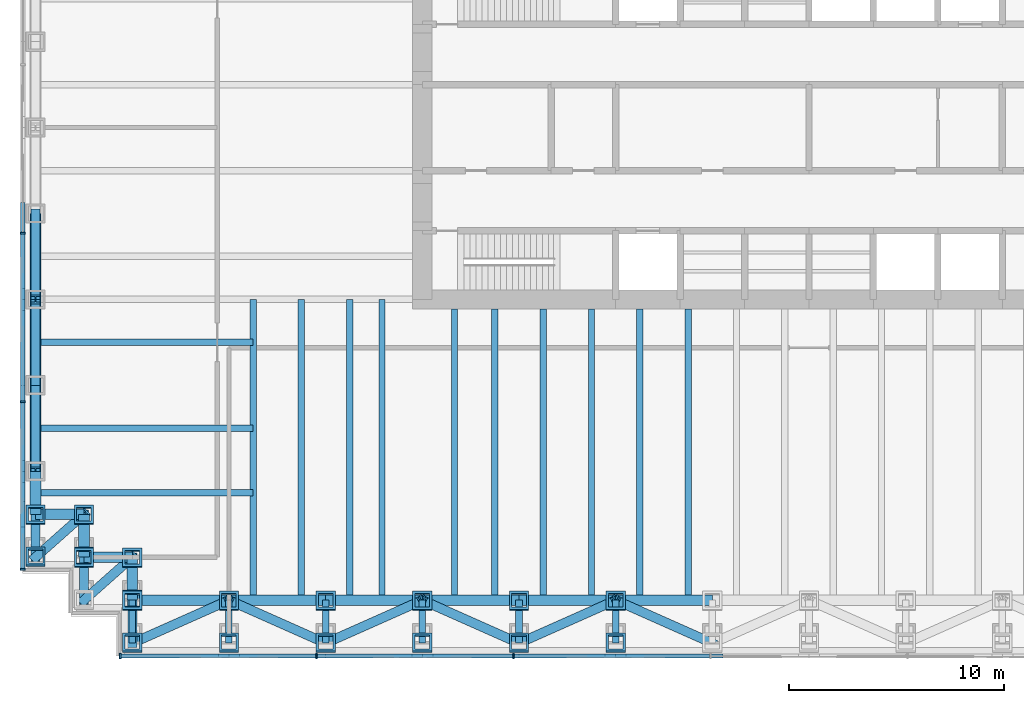
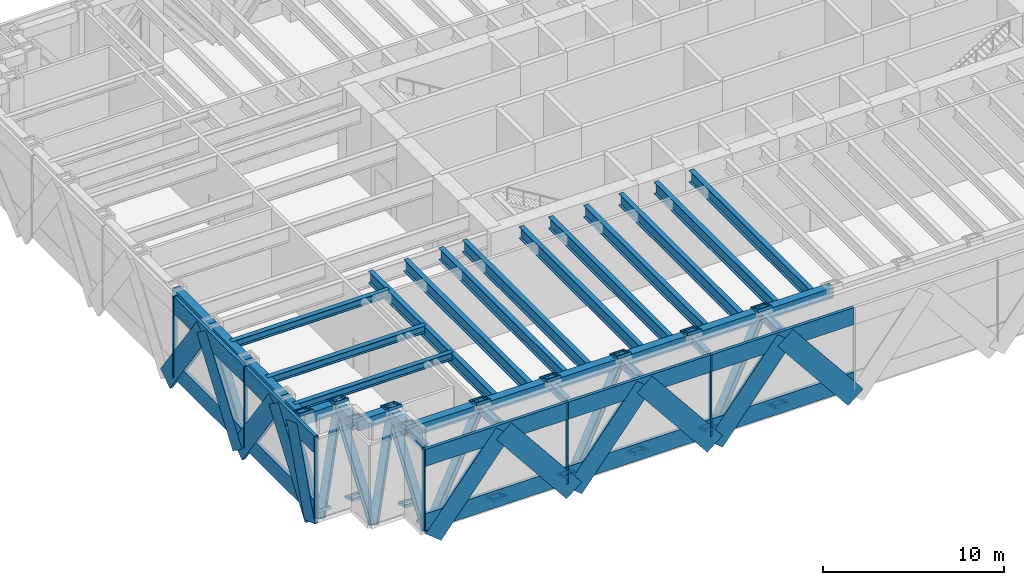
# One storey, part 2 of 16: 60 members, 33 beams, 2 elements without a shape of their own.
"""IFC4 building model written with IfcOpenShell, lengths in metres."""

from ifc_helpers import new_model, si_unit, direction, frame, origin, origin_2d, place, context, subcontext, project, spatial, rectangle, hollow_rectangle, i_section, extrude, material, material_profile, profile_set, type_object, element, aggregate, save


model = new_model("IFC4")

# Units and contexts
model_context = context("Model", 3, precision=1e-05, world=origin(), true_north=direction((0.0, 1.0)))
body_context = subcontext(model_context, "Body", "Model", "MODEL_VIEW")
ifc_project = project(units=[si_unit("LENGTHUNIT", "METRE"), si_unit("AREAUNIT", "SQUARE_METRE"), si_unit("VOLUMEUNIT", "CUBIC_METRE"), si_unit("PLANEANGLEUNIT", "RADIAN"), si_unit("MASSUNIT", "GRAM", prefix="KILO")], contexts=[model_context])

# Site, building, storey
site_placement = place(None, origin())
site = spatial("IfcSite", under=ifc_project, at=site_placement, CompositionType="ELEMENT")
building_placement = place(site_placement, origin())
building = spatial("IfcBuilding", under=site, at=building_placement, Name="Rheinbord Bourse Tower", CompositionType="ELEMENT")
storey_placement = place(building_placement, frame((0.0, 0.0, 95.0)))
storey = spatial("IfcBuildingStorey", under=building, at=storey_placement, Name="L20", CompositionType="ELEMENT", Elevation=95.0)

# Beams
ifc_material_1 = material(Name="Steel S460M", Category="steel")
ifc_material_profile_1 = material_profile(ifc_material_1, hollow_rectangle(XDim=0.5, YDim=0.699951171875, WallThickness=0.0400390625, at=origin_2d()), Name="BOX 700x500x40")
ifc_profile_set_1 = profile_set([ifc_material_profile_1], Name="Steel S460M")
beam_type_1 = type_object("IfcBeamType", Name="BELT CHORD BOX 700x500x40", PredefinedType="SPANDREL", material=ifc_profile_set_1)
for number, where, z_axis, x_axis, name in (
    (1, (4.5, 2.0, 4.989990234375), (1.0, 0.0, 0.0), (0.0, 1.0, 0.0), "Spandrel SW-E-S-9 under L21"),
    (2, (9.0, 2.0, 4.989990234375), (1.0, 0.0, 0.0), (0.0, 1.0, 0.0), "Spandrel S-9-S-13.5 under L21"),
    (3, (13.5, 2.0, 4.989990234375), (1.0, 0.0, 0.0), (0.0, 1.0, 0.0), "Spandrel S-13.5-S-18 under L21"),
    (4, (18.0, 2.0, 4.989990234375), (1.0, 0.0, 0.0), (0.0, 1.0, 0.0), "Spandrel S-18-S-22.5 under L21"),
    (5, (22.5, 2.0, 4.989990234375), (1.0, 0.0, 0.0), (0.0, 1.0, 0.0), "Spandrel S-22.5-S-27 under L21"),
    (6, (27.0, 2.0, 4.989990234375), (1.0, 0.0, 0.0), (0.0, 1.0, 0.0), "Spandrel S-27-S-31.5 under L21"),
):
    element("IfcBeam", number, at=place(storey_placement, frame(where, z_axis=z_axis, x_axis=x_axis)), inside=storey, type_object=beam_type_1, Name=name, PredefinedType="SPANDREL", context=body_context, shape_type="SweptSolid", body=[
        extrude(hollow_rectangle(XDim=0.5, YDim=0.699951171875, WallThickness=0.0400390625, at=origin_2d()), origin(), (0.0, 0.0, 1.0), 4.5),
    ])
for number, where, z_axis, x_axis, name in (
    (7, (0.0, 20.0, 4.989990234375), (0.0, -1.0, 0.0), (1.0, 0.0, 0.0), "Spandrel W-20-W-16 under L21"),
    (8, (0.0, 16.0, 4.989990234375), (0.0, -1.0, 0.0), (1.0, 0.0, 0.0), "Spandrel W-16-W-12 under L21"),
    (9, (0.0, 12.0, 4.989990234375), (0.0, -1.0, 0.0), (1.0, 0.0, 0.0), "Spandrel W-12-W-8 under L21"),
):
    element("IfcBeam", number, at=place(storey_placement, frame(where, z_axis=z_axis, x_axis=x_axis)), inside=storey, type_object=beam_type_1, Name=name, PredefinedType="SPANDREL", context=body_context, shape_type="SweptSolid", body=[
        extrude(hollow_rectangle(XDim=0.5, YDim=0.699951171875, WallThickness=0.0400390625, at=origin_2d()), origin(), (0.0, 0.0, 1.0), 4.0),
    ])
beam_1_placement = place(storey_placement, frame((0.0, 8.0, 4.989990234375), z_axis=(0.0, -1.0, 0.0), x_axis=(1.0, 0.0, 0.0)))
element("IfcBeam", 10, at=beam_1_placement, inside=storey, type_object=beam_type_1, Name="Spandrel W-8-SW-A under L21", PredefinedType="SPANDREL", context=body_context, shape_type="SweptSolid", body=[
    extrude(hollow_rectangle(XDim=0.5, YDim=0.699951171875, WallThickness=0.0400390625, at=origin_2d()), origin(), (0.0, 0.0, 1.0), 2.0),
])
beam_2_placement = place(storey_placement, frame((0.0, 6.0, 4.989990234375), z_axis=(1.0, 0.0, 0.0), x_axis=(0.0, 1.0, 0.0)))
element("IfcBeam", 11, at=beam_2_placement, inside=storey, type_object=beam_type_1, Name="Spandrel SW-A-SW-B under L21", PredefinedType="SPANDREL", context=body_context, shape_type="SweptSolid", body=[
    extrude(hollow_rectangle(XDim=0.5, YDim=0.699951171875, WallThickness=0.0400390625, at=origin_2d()), origin(), (0.0, 0.0, 1.0), 2.25),
])
beam_3_placement = place(storey_placement, frame((2.25, 6.0, 4.989990234375), z_axis=(0.0, -1.0, 0.0), x_axis=(1.0, 0.0, 0.0)))
element("IfcBeam", 12, at=beam_3_placement, inside=storey, type_object=beam_type_1, Name="Spandrel SW-B-SW-C under L21", PredefinedType="SPANDREL", context=body_context, shape_type="SweptSolid", body=[
    extrude(hollow_rectangle(XDim=0.5, YDim=0.699951171875, WallThickness=0.0400390625, at=origin_2d()), origin(), (0.0, 0.0, 1.0), 2.0),
])
beam_4_placement = place(storey_placement, frame((2.25, 4.0, 4.989990234375), z_axis=(1.0, 0.0, 0.0), x_axis=(0.0, 1.0, 0.0)))
element("IfcBeam", 13, at=beam_4_placement, inside=storey, type_object=beam_type_1, Name="Spandrel SW-C-SW-D under L21", PredefinedType="SPANDREL", context=body_context, shape_type="SweptSolid", body=[
    extrude(hollow_rectangle(XDim=0.5, YDim=0.699951171875, WallThickness=0.0400390625, at=origin_2d()), origin(), (0.0, 0.0, 1.0), 2.25),
])
beam_5_placement = place(storey_placement, frame((4.5, 4.0, 4.989990234375), z_axis=(0.0, -1.0, 0.0), x_axis=(1.0, 0.0, 0.0)))
element("IfcBeam", 14, at=beam_5_placement, inside=storey, type_object=beam_type_1, Name="Spandrel SW-D-SW-E under L21", PredefinedType="SPANDREL", context=body_context, shape_type="SweptSolid", body=[
    extrude(hollow_rectangle(XDim=0.5, YDim=0.699951171875, WallThickness=0.0400390625, at=origin_2d()), origin(), (0.0, 0.0, 1.0), 2.0),
])

# Members
ifc_material_2 = material(Name="Steel S460", Category="steel")
ifc_material_profile_2 = material_profile(ifc_material_2, i_section(OverallWidth=0.431884765625, OverallDepth=0.498046875, WebThickness=0.0556640625, FlangeThickness=0.0888671875, at=origin_2d()), Name="HD 400x744")
ifc_profile_set_2 = profile_set([ifc_material_profile_2], Name="Steel S460")
member_type_1 = type_object("IfcMemberType", Name="BELT DIAGONAL HD 400x744", PredefinedType="STRUT", material=ifc_profile_set_2)
for number, where, z_axis, x_axis, name in (
    (15, (4.5, 0.0, -0.60009765625), (0.604045441932, 0.268464640859, 0.750370468962), (-0.406138466053, 0.91381154862, 0.0), "Belt truss diagonal SW-E-S-9 L20"),
    (16, (13.5, 0.0, -0.60009765625), (-0.604045441932, 0.268464640859, 0.750370468962), (-0.406138466053, -0.91381154862, 0.0), "Belt truss diagonal S-9-S-13.5 L20"),
    (17, (13.5, 0.0, -0.60009765625), (0.604045441932, 0.268464640859, 0.750370468962), (-0.406138466053, 0.91381154862, 0.0), "Belt truss diagonal S-13.5-S-18 L20"),
    (18, (22.5, 0.0, -0.60009765625), (-0.604045441932, 0.268464640859, 0.750370468962), (-0.406138466053, -0.91381154862, 0.0), "Belt truss diagonal S-18-S-22.5 L20"),
    (19, (22.5, 0.0, -0.60009765625), (0.604045441932, 0.268464640859, 0.750370468962), (-0.406138466053, 0.91381154862, 0.0), "Belt truss diagonal S-22.5-S-27 L20"),
    (20, (31.5, 0.0, -0.60009765625), (-0.604045441932, 0.268464640859, 0.750370468962), (-0.406138466053, -0.91381154862, 0.0), "Belt truss diagonal S-27-S-31.5 L20"),
):
    element("IfcMember", number, at=place(storey_placement, frame(where, z_axis=z_axis, x_axis=x_axis)), inside=storey, type_object=member_type_1, Name=name, PredefinedType="STRUT", context=body_context, shape_type="SweptSolid", body=[
        extrude(i_section(OverallWidth=0.431884765625, OverallDepth=0.498046875, WebThickness=0.0556640625, FlangeThickness=0.0888671875, at=origin_2d()), origin(), (0.0, 0.0, 1.0), 7.44970703125),
    ])
for number, where, z_axis, x_axis, name in (
    (21, (0.0, 20.0, -0.60009765625), (0.0, -0.581920023079, 0.813246018582), (1.0, 0.0, 0.0), "Belt truss diagonal W-20-W-16 L20"),
    (22, (0.0, 12.0, -0.60009765625), (0.0, 0.581920023079, 0.813246018582), (-1.0, 0.0, 0.0), "Belt truss diagonal W-16-W-12 L20"),
    (23, (0.0, 12.0, -0.60009765625), (0.0, -0.581920023079, 0.813246018582), (1.0, 0.0, 0.0), "Belt truss diagonal W-12-W-8 L20"),
    (24, (0.0, 4.0, -0.60009765625), (0.0, 0.581920023079, 0.813246018582), (-1.0, 0.0, 0.0), "Belt truss diagonal W-8-SW-A L20"),
):
    element("IfcMember", number, at=place(storey_placement, frame(where, z_axis=z_axis, x_axis=x_axis)), inside=storey, type_object=member_type_1, Name=name, PredefinedType="STRUT", context=body_context, shape_type="SweptSolid", body=[
        extrude(i_section(OverallWidth=0.431884765625, OverallDepth=0.498046875, WebThickness=0.0556640625, FlangeThickness=0.0888671875, at=origin_2d()), origin(), (0.0, 0.0, 1.0), 6.873779296875),
    ])
member_1_placement = place(storey_placement, frame((0.0, 4.0, -0.60009765625), z_axis=(0.35437868618, 0.315003276604, 0.880448001026), x_axis=(-0.66436383883, 0.747409318684, 0.0)))
element("IfcMember", 25, at=member_1_placement, inside=storey, type_object=member_type_1, Name="Belt truss diagonal SW-A-SW-B L20", PredefinedType="STRUT", context=body_context, shape_type="SweptSolid", body=[
    extrude(i_section(OverallWidth=0.431884765625, OverallDepth=0.498046875, WebThickness=0.0556640625, FlangeThickness=0.0888671875, at=origin_2d()), origin(), (0.0, 0.0, 1.0), 6.34912109375),
])
member_2_placement = place(storey_placement, frame((2.25, 2.0, -0.60009765625), z_axis=(0.0, 0.581920023079, 0.813246018582), x_axis=(-1.0, 0.0, 0.0)))
element("IfcMember", 26, at=member_2_placement, inside=storey, type_object=member_type_1, Name="Belt truss diagonal SW-B-SW-C L20", PredefinedType="STRUT", context=body_context, shape_type="SweptSolid", body=[
    extrude(i_section(OverallWidth=0.431884765625, OverallDepth=0.498046875, WebThickness=0.0556640625, FlangeThickness=0.0888671875, at=origin_2d()), origin(), (0.0, 0.0, 1.0), 6.873779296875),
])
member_3_placement = place(storey_placement, frame((2.25, 2.0, -0.60009765625), z_axis=(0.35437868618, 0.315003276604, 0.880448001026), x_axis=(-0.66436383883, 0.747409318684, 0.0)))
element("IfcMember", 27, at=member_3_placement, inside=storey, type_object=member_type_1, Name="Belt truss diagonal SW-C-SW-D L20", PredefinedType="STRUT", context=body_context, shape_type="SweptSolid", body=[
    extrude(i_section(OverallWidth=0.431884765625, OverallDepth=0.498046875, WebThickness=0.0556640625, FlangeThickness=0.0888671875, at=origin_2d()), origin(), (0.0, 0.0, 1.0), 6.34912109375),
])
member_4_placement = place(storey_placement, frame((4.5, 0.0, -0.60009765625), z_axis=(0.0, 0.581920023079, 0.813246018582), x_axis=(-1.0, 0.0, 0.0)))
element("IfcMember", 28, at=member_4_placement, inside=storey, type_object=member_type_1, Name="Belt truss diagonal SW-D-SW-E L20", PredefinedType="STRUT", context=body_context, shape_type="SweptSolid", body=[
    extrude(i_section(OverallWidth=0.431884765625, OverallDepth=0.498046875, WebThickness=0.0556640625, FlangeThickness=0.0888671875, at=origin_2d()), origin(), (0.0, 0.0, 1.0), 6.873779296875),
])

# Curtain wall, members
ifc_material_3 = material(Name="Dark glass and black aluminium", Category="aluminium")
curtain_wall_type = type_object("IfcCurtainWallType", Name="CW5 DARK GLASS CURTAIN WALL", PredefinedType="USERDEFINED", material=ifc_material_3)
curtain_wall_1_placement = place(storey_placement, origin())
curtain_wall_1 = element("IfcCurtainWall", 29, at=curtain_wall_1_placement, inside=storey, type_object=curtain_wall_type, Name="Curtain wall CW5 S L20", ObjectType="UNITISED CURTAIN WALL", PredefinedType="USERDEFINED")
ifc_material_4 = material(Name="Black anodised aluminium", Category="aluminium")
ifc_material_profile_3 = material_profile(ifc_material_4, rectangle(XDim=0.199951171875, YDim=1.259033203125, at=origin_2d()), Name="CW5 DIAGONAL MULLION 1259x200")
ifc_profile_set_3 = profile_set([ifc_material_profile_3], Name="Black anodised aluminium")
member_type_2 = type_object("IfcMemberType", Name="CW5 BLACK DIAGONAL MULLION", PredefinedType="USERDEFINED", material=ifc_profile_set_3)
member_5_placement = place(storey_placement, frame((4.5, -0.60009765625, -0.60009765625), z_axis=(0.627065297878, 0.0, 0.778966695178), x_axis=(0.0, 1.0, 0.0)))
member_5 = element("IfcMember", 30, at=member_5_placement, type_object=member_type_2, Name="CW5 diagonal mullion belt SW-E", ObjectType="DIAGONAL MULLION", PredefinedType="USERDEFINED", context=body_context, shape_type="SweptSolid", body=[
    extrude(rectangle(XDim=0.199951171875, YDim=1.259033203125, at=origin_2d()), origin(), (0.0, 0.0, 1.0), 7.17626953125),
])
member_6_placement = place(storey_placement, frame((13.5, -0.60009765625, -0.60009765625), z_axis=(-0.627065297878, 0.0, 0.778966695178), x_axis=(0.0, -1.0, 0.0)))
member_6 = element("IfcMember", 31, at=member_6_placement, type_object=member_type_2, Name="CW5 diagonal mullion belt S-9", ObjectType="DIAGONAL MULLION", PredefinedType="USERDEFINED", context=body_context, shape_type="SweptSolid", body=[
    extrude(rectangle(XDim=0.199951171875, YDim=1.259033203125, at=origin_2d()), origin(), (0.0, 0.0, 1.0), 7.17626953125),
])
member_7_placement = place(storey_placement, frame((13.5, -0.60009765625, -0.60009765625), z_axis=(0.627065297878, 0.0, 0.778966695178), x_axis=(0.0, 1.0, 0.0)))
member_7 = element("IfcMember", 32, at=member_7_placement, type_object=member_type_2, Name="CW5 diagonal mullion belt S-13.5", ObjectType="DIAGONAL MULLION", PredefinedType="USERDEFINED", context=body_context, shape_type="SweptSolid", body=[
    extrude(rectangle(XDim=0.199951171875, YDim=1.259033203125, at=origin_2d()), origin(), (0.0, 0.0, 1.0), 7.17626953125),
])
member_8_placement = place(storey_placement, frame((22.5, -0.60009765625, -0.60009765625), z_axis=(-0.627065297878, 0.0, 0.778966695178), x_axis=(0.0, -1.0, 0.0)))
member_8 = element("IfcMember", 33, at=member_8_placement, type_object=member_type_2, Name="CW5 diagonal mullion belt S-18", ObjectType="DIAGONAL MULLION", PredefinedType="USERDEFINED", context=body_context, shape_type="SweptSolid", body=[
    extrude(rectangle(XDim=0.199951171875, YDim=1.259033203125, at=origin_2d()), origin(), (0.0, 0.0, 1.0), 7.17626953125),
])
member_9_placement = place(storey_placement, frame((22.5, -0.60009765625, -0.60009765625), z_axis=(0.627065297878, 0.0, 0.778966695178), x_axis=(0.0, 1.0, 0.0)))
member_9 = element("IfcMember", 34, at=member_9_placement, type_object=member_type_2, Name="CW5 diagonal mullion belt S-22.5", ObjectType="DIAGONAL MULLION", PredefinedType="USERDEFINED", context=body_context, shape_type="SweptSolid", body=[
    extrude(rectangle(XDim=0.199951171875, YDim=1.259033203125, at=origin_2d()), origin(), (0.0, 0.0, 1.0), 7.17626953125),
])
member_10_placement = place(storey_placement, frame((31.5, -0.60009765625, -0.60009765625), z_axis=(-0.627065297878, 0.0, 0.778966695178), x_axis=(0.0, -1.0, 0.0)))
member_10 = element("IfcMember", 35, at=member_10_placement, type_object=member_type_2, Name="CW5 diagonal mullion belt S-27", ObjectType="DIAGONAL MULLION", PredefinedType="USERDEFINED", context=body_context, shape_type="SweptSolid", body=[
    extrude(rectangle(XDim=0.199951171875, YDim=1.259033203125, at=origin_2d()), origin(), (0.0, 0.0, 1.0), 7.17626953125),
])

curtain_wall_2_placement = place(storey_placement, origin())
curtain_wall_2 = element("IfcCurtainWall", 36, at=curtain_wall_2_placement, inside=storey, type_object=curtain_wall_type, Name="Curtain wall CW5 W L20", ObjectType="UNITISED CURTAIN WALL", PredefinedType="USERDEFINED")
member_11_placement = place(storey_placement, frame((-0.60009765625, 20.0, -0.60009765625), z_axis=(0.0, -0.581920023079, 0.813246018582), x_axis=(1.0, 0.0, 0.0)))
member_11 = element("IfcMember", 37, at=member_11_placement, type_object=member_type_2, Name="CW5 diagonal mullion belt W-20", ObjectType="DIAGONAL MULLION", PredefinedType="USERDEFINED", context=body_context, shape_type="SweptSolid", body=[
    extrude(rectangle(XDim=0.199951171875, YDim=1.259033203125, at=origin_2d()), origin(), (0.0, 0.0, 1.0), 6.873779296875),
])
member_12_placement = place(storey_placement, frame((-0.60009765625, 12.0, -0.60009765625), z_axis=(0.0, 0.581920023079, 0.813246018582), x_axis=(-1.0, 0.0, 0.0)))
member_12 = element("IfcMember", 38, at=member_12_placement, type_object=member_type_2, Name="CW5 diagonal mullion belt W-16", ObjectType="DIAGONAL MULLION", PredefinedType="USERDEFINED", context=body_context, shape_type="SweptSolid", body=[
    extrude(rectangle(XDim=0.199951171875, YDim=1.259033203125, at=origin_2d()), origin(), (0.0, 0.0, 1.0), 6.873779296875),
])
member_13_placement = place(storey_placement, frame((-0.60009765625, 12.0, -0.60009765625), z_axis=(0.0, -0.581920023079, 0.813246018582), x_axis=(1.0, 0.0, 0.0)))
member_13 = element("IfcMember", 39, at=member_13_placement, type_object=member_type_2, Name="CW5 diagonal mullion belt W-12", ObjectType="DIAGONAL MULLION", PredefinedType="USERDEFINED", context=body_context, shape_type="SweptSolid", body=[
    extrude(rectangle(XDim=0.199951171875, YDim=1.259033203125, at=origin_2d()), origin(), (0.0, 0.0, 1.0), 6.873779296875),
])
member_14_placement = place(storey_placement, frame((-0.60009765625, 4.0, -0.60009765625), z_axis=(0.0, 0.581920023079, 0.813246018582), x_axis=(-1.0, 0.0, 0.0)))
member_14 = element("IfcMember", 40, at=member_14_placement, type_object=member_type_2, Name="CW5 diagonal mullion belt W-8", ObjectType="DIAGONAL MULLION", PredefinedType="USERDEFINED", context=body_context, shape_type="SweptSolid", body=[
    extrude(rectangle(XDim=0.199951171875, YDim=1.259033203125, at=origin_2d()), origin(), (0.0, 0.0, 1.0), 6.873779296875),
])
member_15_placement = place(storey_placement, frame((-0.60009765625, 4.0, -0.60009765625), z_axis=(0.0, 0.336865151883, 0.941552903159), x_axis=(-1.0, 0.0, 0.0)))
member_15 = element("IfcMember", 41, at=member_15_placement, type_object=member_type_2, Name="CW5 diagonal mullion belt SW-A", ObjectType="DIAGONAL MULLION", PredefinedType="USERDEFINED", context=body_context, shape_type="SweptSolid", body=[
    extrude(rectangle(XDim=0.199951171875, YDim=1.259033203125, at=origin_2d()), origin(), (0.0, 0.0, 1.0), 5.93701171875),
])

# Member
ifc_material_5 = material(Name="Black anodised aluminium", Category="aluminium")
ifc_material_profile_4 = material_profile(ifc_material_5, rectangle(XDim=0.25, YDim=0.080078125, at=origin_2d()), Name="CW5 MULLION 80x250")
ifc_profile_set_4 = profile_set([ifc_material_profile_4], Name="Black anodised aluminium")
member_type_3 = type_object("IfcMemberType", Name="CW5 BLACK MULLION", PredefinedType="MULLION", material=ifc_profile_set_4)
member_16_placement = place(storey_placement, frame((3.93994140625, -0.60009765625, 0.0), z_axis=(0.0, 0.0, 1.0), x_axis=(0.0, 1.0, 0.0)))
member_16 = element("IfcMember", 42, at=member_16_placement, type_object=member_type_3, Name="CW5 mullion 1", PredefinedType="MULLION", context=body_context, shape_type="SweptSolid", body=[
    extrude(rectangle(XDim=0.25, YDim=0.080078125, at=origin_2d()), origin(), (0.0, 0.0, 1.0), 5.5),
])

member_17_placement = place(storey_placement, frame((13.071533203125, -0.60009765625, 0.0), z_axis=(0.0, 0.0, 1.0), x_axis=(0.0, 1.0, 0.0)))
member_17 = element("IfcMember", 43, at=member_17_placement, type_object=member_type_3, Name="CW5 mullion 2", PredefinedType="MULLION", context=body_context, shape_type="SweptSolid", body=[
    extrude(rectangle(XDim=0.25, YDim=0.080078125, at=origin_2d()), origin(), (0.0, 0.0, 1.0), 5.5),
])

member_18_placement = place(storey_placement, frame((22.242919921875, -0.60009765625, 0.0), z_axis=(0.0, 0.0, 1.0), x_axis=(0.0, 1.0, 0.0)))
member_18 = element("IfcMember", 44, at=member_18_placement, type_object=member_type_3, Name="CW5 mullion 3", PredefinedType="MULLION", context=body_context, shape_type="SweptSolid", body=[
    extrude(rectangle(XDim=0.25, YDim=0.080078125, at=origin_2d()), origin(), (0.0, 0.0, 1.0), 5.5),
])

member_19_placement = place(storey_placement, frame((-0.60009765625, 19.080078125, 0.0), z_axis=(0.0, 0.0, 1.0), x_axis=(1.0, 0.0, 0.0)))
member_19 = element("IfcMember", 45, at=member_19_placement, type_object=member_type_3, Name="CW5 mullion 4", PredefinedType="MULLION", context=body_context, shape_type="SweptSolid", body=[
    extrude(rectangle(XDim=0.25, YDim=0.080078125, at=origin_2d()), origin(), (0.0, 0.0, 1.0), 5.5),
])

member_20_placement = place(storey_placement, frame((-0.60009765625, 11.239990234375, 0.0), z_axis=(0.0, 0.0, 1.0), x_axis=(1.0, 0.0, 0.0)))
member_20 = element("IfcMember", 46, at=member_20_placement, type_object=member_type_3, Name="CW5 mullion 5", PredefinedType="MULLION", context=body_context, shape_type="SweptSolid", body=[
    extrude(rectangle(XDim=0.25, YDim=0.080078125, at=origin_2d()), origin(), (0.0, 0.0, 1.0), 5.5),
])

member_21_placement = place(storey_placement, frame((-0.60009765625, 3.43994140625, 0.0), z_axis=(0.0, 0.0, 1.0), x_axis=(1.0, 0.0, 0.0)))
member_21 = element("IfcMember", 47, at=member_21_placement, type_object=member_type_3, Name="CW5 mullion 6", PredefinedType="MULLION", context=body_context, shape_type="SweptSolid", body=[
    extrude(rectangle(XDim=0.25, YDim=0.080078125, at=origin_2d()), origin(), (0.0, 0.0, 1.0), 5.5),
])

ifc_material_6 = material(Name="Black anodised aluminium", Category="aluminium")
ifc_material_profile_5 = material_profile(ifc_material_6, rectangle(XDim=0.199951171875, YDim=1.14990234375, at=origin_2d()), Name="CW5 TRANSOM 1150x200")
ifc_profile_set_5 = profile_set([ifc_material_profile_5], Name="Black anodised aluminium")
member_type_4 = type_object("IfcMemberType", Name="CW5 BLACK TRANSOM", PredefinedType="USERDEFINED", material=ifc_profile_set_5)
member_22_placement = place(storey_placement, frame((3.97998046875, -0.60009765625, 0.574951171875), z_axis=(1.0, 0.0, 0.0), x_axis=(0.0, 1.0, 0.0)))
member_22 = element("IfcMember", 48, at=member_22_placement, type_object=member_type_4, Name="CW5 transom 1.1", ObjectType="TRANSOM", PredefinedType="USERDEFINED", context=body_context, shape_type="SweptSolid", body=[
    extrude(rectangle(XDim=0.199951171875, YDim=1.14990234375, at=origin_2d()), origin(), (0.0, 0.0, 1.0), 9.051513671875),
])

member_23_placement = place(storey_placement, frame((3.97998046875, -0.60009765625, 4.925048828125), z_axis=(1.0, 0.0, 0.0), x_axis=(0.0, 1.0, 0.0)))
member_23 = element("IfcMember", 49, at=member_23_placement, type_object=member_type_4, Name="CW5 transom 1.2", ObjectType="TRANSOM", PredefinedType="USERDEFINED", context=body_context, shape_type="SweptSolid", body=[
    extrude(rectangle(XDim=0.199951171875, YDim=1.14990234375, at=origin_2d()), origin(), (0.0, 0.0, 1.0), 9.051513671875),
])

member_24_placement = place(storey_placement, frame((13.111328125, -0.60009765625, 0.574951171875), z_axis=(1.0, 0.0, 0.0), x_axis=(0.0, 1.0, 0.0)))
member_24 = element("IfcMember", 50, at=member_24_placement, type_object=member_type_4, Name="CW5 transom 2.1", ObjectType="TRANSOM", PredefinedType="USERDEFINED", context=body_context, shape_type="SweptSolid", body=[
    extrude(rectangle(XDim=0.199951171875, YDim=1.14990234375, at=origin_2d()), origin(), (0.0, 0.0, 1.0), 9.091552734375),
])

member_25_placement = place(storey_placement, frame((13.111328125, -0.60009765625, 4.925048828125), z_axis=(1.0, 0.0, 0.0), x_axis=(0.0, 1.0, 0.0)))
member_25 = element("IfcMember", 51, at=member_25_placement, type_object=member_type_4, Name="CW5 transom 2.2", ObjectType="TRANSOM", PredefinedType="USERDEFINED", context=body_context, shape_type="SweptSolid", body=[
    extrude(rectangle(XDim=0.199951171875, YDim=1.14990234375, at=origin_2d()), origin(), (0.0, 0.0, 1.0), 9.091552734375),
])

member_26_placement = place(storey_placement, frame((22.282958984375, -0.60009765625, 0.574951171875), z_axis=(1.0, 0.0, 0.0), x_axis=(0.0, 1.0, 0.0)))
member_26 = element("IfcMember", 52, at=member_26_placement, type_object=member_type_4, Name="CW5 transom 3.1", ObjectType="TRANSOM", PredefinedType="USERDEFINED", context=body_context, shape_type="SweptSolid", body=[
    extrude(rectangle(XDim=0.199951171875, YDim=1.14990234375, at=origin_2d()), origin(), (0.0, 0.0, 1.0), 9.09130859375),
])

member_27_placement = place(storey_placement, frame((22.282958984375, -0.60009765625, 4.925048828125), z_axis=(1.0, 0.0, 0.0), x_axis=(0.0, 1.0, 0.0)))
member_27 = element("IfcMember", 53, at=member_27_placement, type_object=member_type_4, Name="CW5 transom 3.2", ObjectType="TRANSOM", PredefinedType="USERDEFINED", context=body_context, shape_type="SweptSolid", body=[
    extrude(rectangle(XDim=0.199951171875, YDim=1.14990234375, at=origin_2d()), origin(), (0.0, 0.0, 1.0), 9.09130859375),
])

aggregate(curtain_wall_1, [member_16, member_17, member_18, member_22, member_23, member_24, member_25, member_26, member_27, member_5, member_6, member_7, member_8, member_9, member_10])

member_28_placement = place(storey_placement, frame((-0.60009765625, 19.0400390625, 0.574951171875), z_axis=(0.0, -1.0, 0.0), x_axis=(1.0, 0.0, 0.0)))
member_28 = element("IfcMember", 54, at=member_28_placement, type_object=member_type_4, Name="CW5 transom 4.1", ObjectType="TRANSOM", PredefinedType="USERDEFINED", context=body_context, shape_type="SweptSolid", body=[
    extrude(rectangle(XDim=0.199951171875, YDim=1.14990234375, at=origin_2d()), origin(), (0.0, 0.0, 1.0), 7.760009765625),
])

member_29_placement = place(storey_placement, frame((-0.60009765625, 19.0400390625, 4.925048828125), z_axis=(0.0, -1.0, 0.0), x_axis=(1.0, 0.0, 0.0)))
member_29 = element("IfcMember", 55, at=member_29_placement, type_object=member_type_4, Name="CW5 transom 4.2", ObjectType="TRANSOM", PredefinedType="USERDEFINED", context=body_context, shape_type="SweptSolid", body=[
    extrude(rectangle(XDim=0.199951171875, YDim=1.14990234375, at=origin_2d()), origin(), (0.0, 0.0, 1.0), 7.760009765625),
])

member_30_placement = place(storey_placement, frame((-0.60009765625, 11.199951171875, 0.574951171875), z_axis=(0.0, -1.0, 0.0), x_axis=(1.0, 0.0, 0.0)))
member_30 = element("IfcMember", 56, at=member_30_placement, type_object=member_type_4, Name="CW5 transom 5.1", ObjectType="TRANSOM", PredefinedType="USERDEFINED", context=body_context, shape_type="SweptSolid", body=[
    extrude(rectangle(XDim=0.199951171875, YDim=1.14990234375, at=origin_2d()), origin(), (0.0, 0.0, 1.0), 7.719970703125),
])

member_31_placement = place(storey_placement, frame((-0.60009765625, 11.199951171875, 4.925048828125), z_axis=(0.0, -1.0, 0.0), x_axis=(1.0, 0.0, 0.0)))
member_31 = element("IfcMember", 57, at=member_31_placement, type_object=member_type_4, Name="CW5 transom 5.2", ObjectType="TRANSOM", PredefinedType="USERDEFINED", context=body_context, shape_type="SweptSolid", body=[
    extrude(rectangle(XDim=0.199951171875, YDim=1.14990234375, at=origin_2d()), origin(), (0.0, 0.0, 1.0), 7.719970703125),
])

aggregate(curtain_wall_2, [member_19, member_20, member_21, member_28, member_29, member_30, member_31, member_11, member_12, member_13, member_14, member_15])

# Beams
ifc_material_7 = material(Name="Steel S460", Category="steel")
ifc_material_profile_6 = material_profile(ifc_material_7, i_section(OverallWidth=0.300048828125, OverallDepth=0.800048828125, WebThickness=0.017578125, FlangeThickness=0.032958984375, at=origin_2d()), Name="HEB 800")
ifc_profile_set_6 = profile_set([ifc_material_profile_6], Name="Steel S460")
beam_type_2 = type_object("IfcBeamType", Name="FLOOR BEAM HEB 800", PredefinedType="BEAM", material=ifc_profile_set_6)
for number, where, z_axis, x_axis, name in (
    (58, (10.125, 2.0, 4.93994140625), (0.0, 1.0, 0.0), (-1.0, 0.0, 0.0), "Floor beam S-9a L21"),
    (59, (12.375, 2.0, 4.93994140625), (0.0, 1.0, 0.0), (-1.0, 0.0, 0.0), "Floor beam S-9b L21"),
    (60, (14.625, 2.0, 4.93994140625), (0.0, 1.0, 0.0), (-1.0, 0.0, 0.0), "Floor beam S-13.5a L21"),
    (61, (16.125, 2.0, 4.93994140625), (0.0, 1.0, 0.0), (-1.0, 0.0, 0.0), "Floor beam S-13.5b L21"),
):
    element("IfcBeam", number, at=place(storey_placement, frame(where, z_axis=z_axis, x_axis=x_axis)), inside=storey, type_object=beam_type_2, Name=name, PredefinedType="BEAM", context=body_context, shape_type="SweptSolid", body=[
        extrude(i_section(OverallWidth=0.300048828125, OverallDepth=0.800048828125, WebThickness=0.017578125, FlangeThickness=0.032958984375, at=origin_2d()), origin(), (0.0, 0.0, 1.0), 14.0),
    ])
for number, where, z_axis, x_axis, name in (
    (62, (19.5, 2.0, 4.93994140625), (0.0, 1.0, 0.0), (-1.0, 0.0, 0.0), "Floor beam S-18a L21"),
    (63, (21.375, 2.0, 4.93994140625), (0.0, 1.0, 0.0), (-1.0, 0.0, 0.0), "Floor beam S-18b L21"),
    (64, (23.625, 2.0, 4.93994140625), (0.0, 1.0, 0.0), (-1.0, 0.0, 0.0), "Floor beam S-22.5a L21"),
    (65, (25.875, 2.0, 4.93994140625), (0.0, 1.0, 0.0), (-1.0, 0.0, 0.0), "Floor beam S-22.5b L21"),
    (66, (28.125, 2.0, 4.93994140625), (0.0, 1.0, 0.0), (-1.0, 0.0, 0.0), "Floor beam S-27a L21"),
    (67, (30.375, 2.0, 4.93994140625), (0.0, 1.0, 0.0), (-1.0, 0.0, 0.0), "Floor beam S-27b L21"),
):
    element("IfcBeam", number, at=place(storey_placement, frame(where, z_axis=z_axis, x_axis=x_axis)), inside=storey, type_object=beam_type_2, Name=name, PredefinedType="BEAM", context=body_context, shape_type="SweptSolid", body=[
        extrude(i_section(OverallWidth=0.300048828125, OverallDepth=0.800048828125, WebThickness=0.017578125, FlangeThickness=0.032958984375, at=origin_2d()), origin(), (0.0, 0.0, 1.0), 13.550048828125),
    ])

# Members
ifc_material_8 = material(Name="Steel S460M", Category="steel")
ifc_material_profile_7 = material_profile(ifc_material_8, hollow_rectangle(XDim=0.89990234375, YDim=0.89990234375, WallThickness=0.110107421875, at=origin_2d()), Name="BOX 900x900x110")
ifc_profile_set_7 = profile_set([ifc_material_profile_7], Name="Steel S460M")
member_type_5 = type_object("IfcMemberType", Name="RAKING NODE PIECE BOX 900x900x110", PredefinedType="USERDEFINED", material=ifc_profile_set_7)
for number, where, z_axis, x_axis, name in (
    (68, (4.5, 0.0, 0.0), (0.0, 0.341861886176, 0.939750206587), (0.0, -0.939750206587, 0.341861886176), "Node piece SW-E L20 foot"),
    (69, (4.5, 1.943603515625, 5.344970703125), (0.0, 0.341861886176, 0.939750206587), (0.0, -0.939750206587, 0.341861886176), "Node piece SW-E L20 head"),
    (70, (9.0, 0.0, 0.0), (0.0, 0.341861886176, 0.939750206587), (0.0, -0.939750206587, 0.341861886176), "Node piece S-9 L20 foot"),
    (71, (9.0, 1.943603515625, 5.344970703125), (0.0, 0.341861886176, 0.939750206587), (0.0, -0.939750206587, 0.341861886176), "Node piece S-9 L20 head"),
    (72, (13.5, 0.0, 0.0), (0.0, 0.341861886176, 0.939750206587), (0.0, -0.939750206587, 0.341861886176), "Node piece S-13.5 L20 foot"),
    (73, (13.5, 1.943603515625, 5.344970703125), (0.0, 0.341861886176, 0.939750206587), (0.0, -0.939750206587, 0.341861886176), "Node piece S-13.5 L20 head"),
    (74, (18.0, 0.0, 0.0), (0.0, 0.341861886176, 0.939750206587), (0.0, -0.939750206587, 0.341861886176), "Node piece S-18 L20 foot"),
    (75, (18.0, 1.943603515625, 5.344970703125), (0.0, 0.341861886176, 0.939750206587), (0.0, -0.939750206587, 0.341861886176), "Node piece S-18 L20 head"),
    (76, (22.5, 0.0, 0.0), (0.0, 0.341861886176, 0.939750206587), (0.0, -0.939750206587, 0.341861886176), "Node piece S-22.5 L20 foot"),
    (77, (22.5, 1.943603515625, 5.344970703125), (0.0, 0.341861886176, 0.939750206587), (0.0, -0.939750206587, 0.341861886176), "Node piece S-22.5 L20 head"),
    (78, (27.0, 0.0, 0.0), (0.0, 0.341861886176, 0.939750206587), (0.0, -0.939750206587, 0.341861886176), "Node piece S-27 L20 foot"),
    (79, (27.0, 1.943603515625, 5.344970703125), (0.0, 0.341861886176, 0.939750206587), (0.0, -0.939750206587, 0.341861886176), "Node piece S-27 L20 head"),
    (80, (0.0, 4.0, 0.0), (0.0, 0.341861886176, 0.939750206587), (-1.0, 0.0, 0.0), "Node piece SW-A L20 foot"),
    (81, (0.0, 5.943603515625, 5.344970703125), (0.0, 0.341861886176, 0.939750206587), (-1.0, 0.0, 0.0), "Node piece SW-A L20 head"),
    (82, (2.25, 4.0, 0.0), (0.0, 0.341861886176, 0.939750206587), (-1.0, 0.0, 0.0), "Node piece SW-B L20 foot"),
    (83, (2.25, 5.943603515625, 5.344970703125), (0.0, 0.341861886176, 0.939750206587), (-1.0, 0.0, 0.0), "Node piece SW-B L20 head"),
    (84, (2.25, 3.943603515625, 5.344970703125), (0.0, 0.341861886176, 0.939750206587), (-1.0, 0.0, 0.0), "Node piece SW-C L20 head"),
    (85, (4.5, 2.0, 0.0), (0.0, 0.341861886176, 0.939750206587), (0.0, -0.939750206587, 0.341861886176), "Node piece SW-D L20 foot"),
    (86, (4.5, 3.943603515625, 5.344970703125), (0.0, 0.341861886176, 0.939750206587), (0.0, -0.939750206587, 0.341861886176), "Node piece SW-D L20 head"),
):
    element("IfcMember", number, at=place(storey_placement, frame(where, z_axis=z_axis, x_axis=x_axis)), inside=storey, type_object=member_type_5, Name=name, ObjectType="NODE PIECE", PredefinedType="USERDEFINED", context=body_context, shape_type="SweptSolid", body=[
        extrude(hollow_rectangle(XDim=0.89990234375, YDim=0.89990234375, WallThickness=0.110107421875, at=origin_2d()), origin(), (0.0, 0.0, 1.0), 0.1650390625),
    ])

# Beams
ifc_material_9 = material(Name="Steel S460", Category="steel")
ifc_material_profile_8 = material_profile(ifc_material_9, i_section(OverallWidth=0.305908203125, OverallDepth=0.52392578125, WebThickness=0.02099609375, FlangeThickness=0.0400390625, at=origin_2d()), Name="HEM 500")
ifc_profile_set_8 = profile_set([ifc_material_profile_8], Name="Steel S460")
beam_type_3 = type_object("IfcBeamType", Name="SETBACK OUTLOOKER HEM 500", PredefinedType="BEAM", material=ifc_profile_set_8)
for number, where, z_axis, x_axis, name in (
    (87, (4.5, 2.0, 4.988037109375), (0.0, -1.0, 0.0), (1.0, 0.0, 0.0), "Setback outlooker SW-E L21"),
    (88, (9.0, 2.0, 4.988037109375), (0.0, -1.0, 0.0), (1.0, 0.0, 0.0), "Setback outlooker S-9 L21"),
    (89, (13.5, 2.0, 4.988037109375), (0.0, -1.0, 0.0), (1.0, 0.0, 0.0), "Setback outlooker S-13.5 L21"),
    (90, (18.0, 2.0, 4.988037109375), (0.0, -1.0, 0.0), (1.0, 0.0, 0.0), "Setback outlooker S-18 L21"),
    (91, (22.5, 2.0, 4.988037109375), (0.0, -1.0, 0.0), (1.0, 0.0, 0.0), "Setback outlooker S-22.5 L21"),
    (92, (27.0, 2.0, 4.988037109375), (0.0, -1.0, 0.0), (1.0, 0.0, 0.0), "Setback outlooker S-27 L21"),
):
    element("IfcBeam", number, at=place(storey_placement, frame(where, z_axis=z_axis, x_axis=x_axis)), inside=storey, type_object=beam_type_3, Name=name, PredefinedType="BEAM", context=body_context, shape_type="SweptSolid", body=[
        extrude(i_section(OverallWidth=0.305908203125, OverallDepth=0.52392578125, WebThickness=0.02099609375, FlangeThickness=0.0400390625, at=origin_2d()), origin(), (0.0, 0.0, 1.0), 2.0),
    ])
ifc_material_10 = material(Name="Steel S460", Category="steel")
ifc_material_profile_9 = material_profile(ifc_material_10, i_section(OverallWidth=0.300048828125, OverallDepth=0.5, WebThickness=0.014404296875, FlangeThickness=0.028076171875, at=origin_2d()), Name="HEB 500")
ifc_profile_set_9 = profile_set([ifc_material_profile_9], Name="Steel S460")
beam_type_4 = type_object("IfcBeamType", Name="TIE BEAM HEB 500", PredefinedType="JOIST", material=ifc_profile_set_9)
for number, where, z_axis, x_axis, name in (
    (93, (0.0, 7.0, 5.090087890625), (1.0, 0.0, 0.0), (0.0, 1.0, 0.0), "Tie west 7 L21"),
    (94, (0.0, 10.0, 5.090087890625), (1.0, 0.0, 0.0), (0.0, 1.0, 0.0), "Tie west 10 L21"),
    (95, (0.0, 14.0, 5.090087890625), (1.0, 0.0, 0.0), (0.0, 1.0, 0.0), "Tie west 14 L21"),
):
    element("IfcBeam", number, at=place(storey_placement, frame(where, z_axis=z_axis, x_axis=x_axis)), inside=storey, type_object=beam_type_4, Name=name, PredefinedType="JOIST", context=body_context, shape_type="SweptSolid", body=[
        extrude(i_section(OverallWidth=0.300048828125, OverallDepth=0.5, WebThickness=0.014404296875, FlangeThickness=0.028076171875, at=origin_2d()), origin(), (0.0, 0.0, 1.0), 10.125),
    ])

save(model, "model.ifc")
